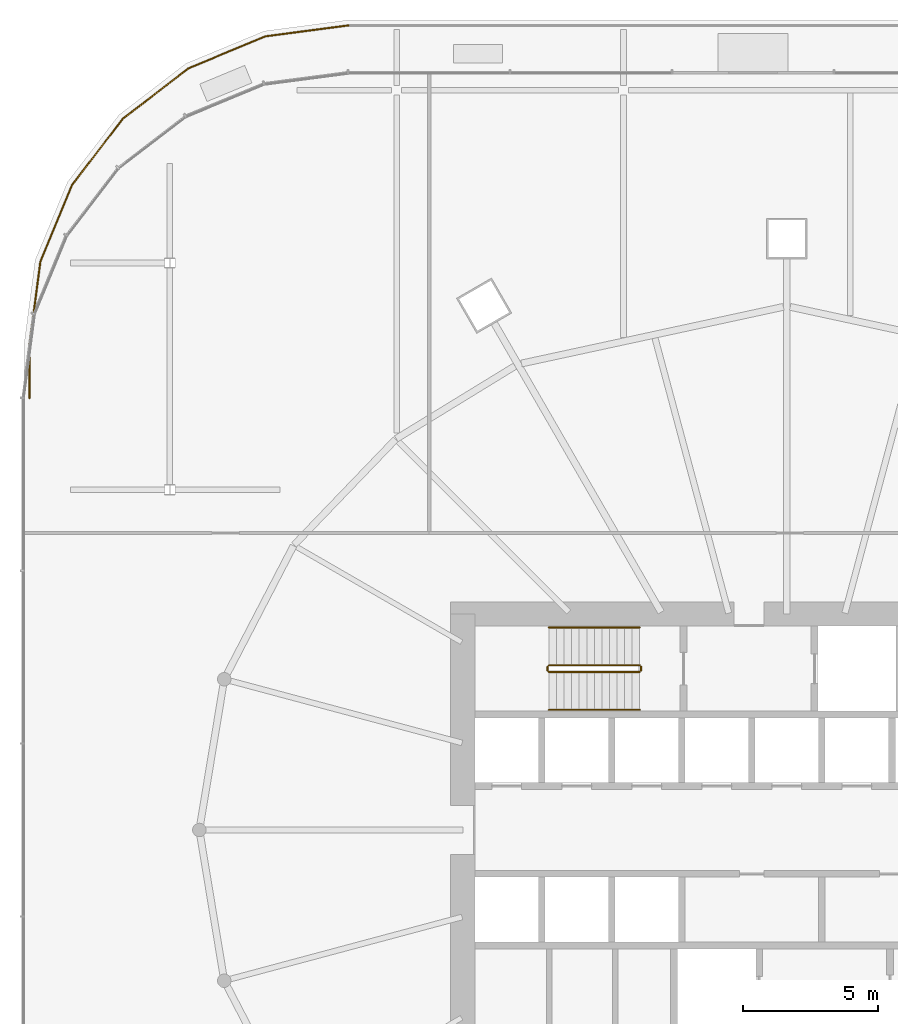
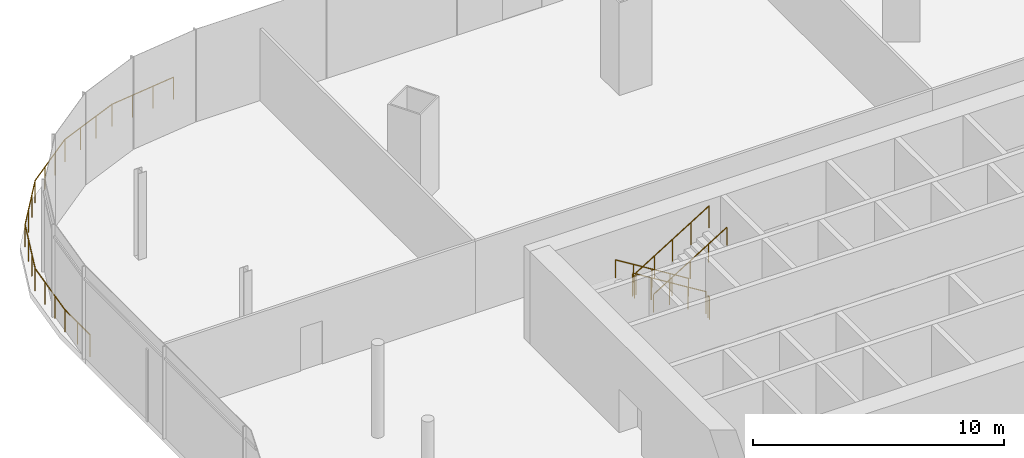
# One storey, part 45 of 52: 7 railings.
"""IFC4 building model written with IfcOpenShell, lengths in metres."""

from ifc_helpers import new_model, si_unit, direction, frame, origin, origin_2d, place, context, subcontext, project, spatial, circle, extrude, material, type_object, element, save


model = new_model("IFC4")

# Units and contexts
model_context = context("Model", 3, precision=1e-05, world=origin(), true_north=direction((0.0, 1.0)))
body_context = subcontext(model_context, "Body", "Model", "MODEL_VIEW")
ifc_project = project(units=[si_unit("LENGTHUNIT", "METRE"), si_unit("AREAUNIT", "SQUARE_METRE"), si_unit("VOLUMEUNIT", "CUBIC_METRE"), si_unit("PLANEANGLEUNIT", "RADIAN"), si_unit("MASSUNIT", "GRAM", prefix="KILO")], contexts=[model_context])

# Site, building, storey
site_placement = place(None, origin())
site = spatial("IfcSite", under=ifc_project, at=site_placement, CompositionType="ELEMENT")
building_placement = place(site_placement, origin())
building = spatial("IfcBuilding", under=site, at=building_placement, Name="Rimbun Link Towers", CompositionType="ELEMENT")
storey_placement = place(building_placement, frame((0.0, 0.0, 21.0)))
storey = spatial("IfcBuildingStorey", under=building, at=storey_placement, Name="L04", CompositionType="ELEMENT", Elevation=21.0)

# Railings
ifc_material_1 = material(Name="Toughened laminated glass, stainless steel grade 316 posts and cap rail", Category="steel")
railing_type_1 = type_object("IfcRailingType", Name="GUARD glass balustrade with stainless cap rail", PredefinedType="BALUSTRADE", material=ifc_material_1)
railing_1_placement = place(storey_placement, frame((-47.98681640625, 29.800048828125, 0.0)))
element("IfcRailing", 1, at=railing_1_placement, inside=storey, type_object=railing_type_1, Name="GUARD glass balustrade", PredefinedType="BALUSTRADE", context=body_context, shape_type="SweptSolid", body=[
    extrude(circle(Radius=0.02392578125, at=origin_2d()), frame((0.0, 0.0, 1.076171875), z_axis=(-0.991443009305, -0.130540259305, 0.0), x_axis=(0.130540259305, -0.991443009305, 0.0)), (0.0, 0.0, 1.0), 3.09326171875),
    extrude(circle(Radius=0.02392578125, at=origin_2d()), frame((-3.06689453125, -0.40380859375, 1.076171875), z_axis=(-0.92386997747, -0.382706499462, 0.0), x_axis=(0.382706499462, -0.92386997747, 0.0)), (0.0, 0.0, 1.0), 3.079833984375),
    extrude(circle(Radius=0.02392578125, at=origin_2d()), frame((-5.912353515625, -1.58251953125, 1.076171875), z_axis=(-0.793398353015, -0.608702762794, 0.0), x_axis=(0.608702762794, -0.793398353015, 0.0)), (0.0, 0.0, 1.0), 3.079833984375),
    extrude(circle(Radius=0.02392578125, at=origin_2d()), frame((-8.35595703125, -3.457275390625, 1.076171875), z_axis=(-0.608702762794, -0.793398353015, 0.0), x_axis=(0.793398353015, -0.608702762794, 0.0)), (0.0, 0.0, 1.0), 3.079833984375),
    extrude(circle(Radius=0.02392578125, at=origin_2d()), frame((-10.230712890625, -5.90087890625, 1.076171875), z_axis=(-0.382706499462, -0.92386997747, 0.0), x_axis=(0.92386997747, -0.382706499462, 0.0)), (0.0, 0.0, 1.0), 3.079833984375),
    extrude(circle(Radius=0.02392578125, at=origin_2d()), frame((-11.409423828125, -8.746337890625, 1.076171875), z_axis=(-0.130540259305, -0.991443009305, 0.0), x_axis=(0.991443009305, -0.130540259305, 0.0)), (0.0, 0.0, 1.0), 3.09326171875),
    extrude(circle(Radius=0.02392578125, at=origin_2d()), frame((-11.813232421875, -11.813232421875, 1.076171875), z_axis=(0.0, -1.0, 0.0), x_axis=(1.0, 0.0, 0.0)), (0.0, 0.0, 1.0), 1.98681640625),
    extrude(circle(Radius=0.02099609375, at=origin_2d()), origin(), (0.0, 0.0, 1.0), 1.052001953125),
    extrude(circle(Radius=0.02099609375, at=origin_2d()), frame((-1.022216796875, -0.134521484375, 0.0)), (0.0, 0.0, 1.0), 1.052001953125),
    extrude(circle(Radius=0.02099609375, at=origin_2d()), frame((-2.044677734375, -0.269287109375, 0.0)), (0.0, 0.0, 1.0), 1.052001953125),
    extrude(circle(Radius=0.02099609375, at=origin_2d()), frame((-3.06689453125, -0.40380859375, 0.0)), (0.0, 0.0, 1.0), 1.052001953125),
    extrude(circle(Radius=0.02099609375, at=origin_2d()), frame((-4.015380859375, -0.796630859375, 0.0)), (0.0, 0.0, 1.0), 1.052001953125),
    extrude(circle(Radius=0.02099609375, at=origin_2d()), frame((-4.9638671875, -1.189697265625, 0.0)), (0.0, 0.0, 1.0), 1.052001953125),
    extrude(circle(Radius=0.02099609375, at=origin_2d()), frame((-5.912353515625, -1.58251953125, 0.0)), (0.0, 0.0, 1.0), 1.052001953125),
    extrude(circle(Radius=0.02099609375, at=origin_2d()), frame((-6.726806640625, -2.20751953125, 0.0)), (0.0, 0.0, 1.0), 1.052001953125),
    extrude(circle(Radius=0.02099609375, at=origin_2d()), frame((-7.54150390625, -2.832275390625, 0.0)), (0.0, 0.0, 1.0), 1.052001953125),
    extrude(circle(Radius=0.02099609375, at=origin_2d()), frame((-8.35595703125, -3.457275390625, 0.0)), (0.0, 0.0, 1.0), 1.052001953125),
    extrude(circle(Radius=0.02099609375, at=origin_2d()), frame((-8.98095703125, -4.271728515625, 0.0)), (0.0, 0.0, 1.0), 1.052001953125),
    extrude(circle(Radius=0.02099609375, at=origin_2d()), frame((-9.605712890625, -5.08642578125, 0.0)), (0.0, 0.0, 1.0), 1.052001953125),
    extrude(circle(Radius=0.02099609375, at=origin_2d()), frame((-10.230712890625, -5.90087890625, 0.0)), (0.0, 0.0, 1.0), 1.052001953125),
    extrude(circle(Radius=0.02099609375, at=origin_2d()), frame((-10.62353515625, -6.849365234375, 0.0)), (0.0, 0.0, 1.0), 1.052001953125),
    extrude(circle(Radius=0.02099609375, at=origin_2d()), frame((-11.0166015625, -7.7978515625, 0.0)), (0.0, 0.0, 1.0), 1.052001953125),
    extrude(circle(Radius=0.02099609375, at=origin_2d()), frame((-11.409423828125, -8.746337890625, 0.0)), (0.0, 0.0, 1.0), 1.052001953125),
    extrude(circle(Radius=0.02099609375, at=origin_2d()), frame((-11.5439453125, -9.7685546875, 0.0)), (0.0, 0.0, 1.0), 1.052001953125),
    extrude(circle(Radius=0.02099609375, at=origin_2d()), frame((-11.6787109375, -10.791015625, 0.0)), (0.0, 0.0, 1.0), 1.052001953125),
    extrude(circle(Radius=0.02099609375, at=origin_2d()), frame((-11.813232421875, -11.813232421875, 0.0)), (0.0, 0.0, 1.0), 1.052001953125),
    extrude(circle(Radius=0.02099609375, at=origin_2d()), frame((-11.813232421875, -12.806640625, 0.0)), (0.0, 0.0, 1.0), 1.052001953125),
    extrude(circle(Radius=0.02099609375, at=origin_2d()), frame((-11.813232421875, -13.800048828125, 0.0)), (0.0, 0.0, 1.0), 1.052001953125),
])
ifc_material_2 = material(Name="Stainless steel grade 316", Category="steel")
railing_type_2 = type_object("IfcRailingType", Name="Stair guard", PredefinedType="GUARDRAIL", material=ifc_material_2)
railing_2_placement = place(storey_placement, frame((-37.199951171875, 6.10009765625, 0.173095703125)))
element("IfcRailing", 2, at=railing_2_placement, inside=storey, type_object=railing_type_2, Name="L04 ST1 stair guard 1", PredefinedType="GUARDRAIL", context=body_context, shape_type="SweptSolid", body=[
    extrude(circle(Radius=0.02392578125, at=origin_2d()), frame((0.0, 0.0, 1.076171875), z_axis=(-0.850623216509, 0.0, 0.525775754039), x_axis=(0.0, -1.0, 0.0)), (0.0, 0.0, 1.0), 3.9501953125),
    extrude(circle(Radius=0.02099609375, at=origin_2d()), origin(), (0.0, 0.0, 1.0), 1.052001953125),
    extrude(circle(Radius=0.02099609375, at=origin_2d()), frame((-0.840087890625, 0.0, 0.519287109375)), (0.0, 0.0, 1.0), 1.052001953125),
    extrude(circle(Radius=0.02099609375, at=origin_2d()), frame((-1.68017578125, 0.0, 1.03857421875)), (0.0, 0.0, 1.0), 1.052001953125),
    extrude(circle(Radius=0.02099609375, at=origin_2d()), frame((-2.52001953125, 0.0, 1.5576171875)), (0.0, 0.0, 1.0), 1.052001953125),
    extrude(circle(Radius=0.02099609375, at=origin_2d()), frame((-3.360107421875, 0.0, 2.076904296875)), (0.0, 0.0, 1.0), 1.052001953125),
])
railing_3_placement = place(storey_placement, frame((-40.610107421875, 6.050048828125, 2.25)))
element("IfcRailing", 3, at=railing_3_placement, inside=storey, type_object=railing_type_2, Name="L04 ST1 stair guard 2", PredefinedType="GUARDRAIL", context=body_context, shape_type="SweptSolid", body=[
    extrude(circle(Radius=0.02392578125, at=origin_2d()), frame((0.0, 0.0, 1.076171875), z_axis=(0.0, -1.0, 0.0), x_axis=(1.0, 0.0, 0.0)), (0.0, 0.0, 1.0), 0.150146484375),
    extrude(circle(Radius=0.02099609375, at=origin_2d()), origin(), (0.0, 0.0, 1.0), 1.052001953125),
    extrude(circle(Radius=0.02099609375, at=origin_2d()), frame((0.0, -0.150146484375, 0.0)), (0.0, 0.0, 1.0), 1.052001953125),
])
railing_4_placement = place(storey_placement, frame((-40.56005859375, 5.85009765625, 2.423095703125)))
element("IfcRailing", 4, at=railing_4_placement, inside=storey, type_object=railing_type_2, Name="L04 ST1 stair guard 3", PredefinedType="GUARDRAIL", context=body_context, shape_type="SweptSolid", body=[
    extrude(circle(Radius=0.02392578125, at=origin_2d()), frame((0.0, 0.0, 1.076171875), z_axis=(0.850623216509, 0.0, 0.525775754039), x_axis=(0.0, 1.0, 0.0)), (0.0, 0.0, 1.0), 3.9501953125),
    extrude(circle(Radius=0.02099609375, at=origin_2d()), origin(), (0.0, 0.0, 1.0), 1.052001953125),
    extrude(circle(Radius=0.02099609375, at=origin_2d()), frame((0.840087890625, 0.0, 0.519287109375)), (0.0, 0.0, 1.0), 1.052001953125),
    extrude(circle(Radius=0.02099609375, at=origin_2d()), frame((1.68017578125, 0.0, 1.03857421875)), (0.0, 0.0, 1.0), 1.052001953125),
    extrude(circle(Radius=0.02099609375, at=origin_2d()), frame((2.52001953125, 0.0, 1.5576171875)), (0.0, 0.0, 1.0), 1.052001953125),
    extrude(circle(Radius=0.02099609375, at=origin_2d()), frame((3.360107421875, 0.0, 2.076904296875)), (0.0, 0.0, 1.0), 1.052001953125),
])
railing_5_placement = place(storey_placement, frame((-37.14990234375, 6.050048828125, 0.0)))
element("IfcRailing", 5, at=railing_5_placement, inside=storey, type_object=railing_type_2, Name="L04 ST1 stair guard 4", PredefinedType="GUARDRAIL", context=body_context, shape_type="SweptSolid", body=[
    extrude(circle(Radius=0.02392578125, at=origin_2d()), frame((0.0, 0.0, 1.076171875), z_axis=(0.0, -1.0, 0.0), x_axis=(1.0, 0.0, 0.0)), (0.0, 0.0, 1.0), 0.150146484375),
    extrude(circle(Radius=0.02099609375, at=origin_2d()), origin(), (0.0, 0.0, 1.0), 1.052001953125),
    extrude(circle(Radius=0.02099609375, at=origin_2d()), frame((0.0, -0.150146484375, 0.0)), (0.0, 0.0, 1.0), 1.052001953125),
])
ifc_material_3 = material(Name="Stainless steel grade 316", Category="steel")
railing_type_3 = type_object("IfcRailingType", Name="Stair handrail", PredefinedType="HANDRAIL", material=ifc_material_3)
railing_6_placement = place(storey_placement, frame((-37.199951171875, 7.5, 0.173095703125)))
element("IfcRailing", 6, at=railing_6_placement, inside=storey, type_object=railing_type_3, Name="L04 ST1 stair handrail 1", PredefinedType="HANDRAIL", context=body_context, shape_type="SweptSolid", body=[
    extrude(circle(Radius=0.02392578125, at=origin_2d()), frame((0.0, 0.0, 0.8759765625), z_axis=(-0.850623216509, 0.0, 0.525775754039), x_axis=(0.0, -1.0, 0.0)), (0.0, 0.0, 1.0), 3.9501953125),
    extrude(circle(Radius=0.02099609375, at=origin_2d()), origin(), (0.0, 0.0, 1.0), 0.851806640625),
    extrude(circle(Radius=0.02099609375, at=origin_2d()), frame((-0.840087890625, 0.0, 0.519287109375)), (0.0, 0.0, 1.0), 0.851806640625),
    extrude(circle(Radius=0.02099609375, at=origin_2d()), frame((-1.68017578125, 0.0, 1.03857421875)), (0.0, 0.0, 1.0), 0.851806640625),
    extrude(circle(Radius=0.02099609375, at=origin_2d()), frame((-2.52001953125, 0.0, 1.5576171875)), (0.0, 0.0, 1.0), 0.851806640625),
    extrude(circle(Radius=0.02099609375, at=origin_2d()), frame((-3.360107421875, 0.0, 2.076904296875)), (0.0, 0.0, 1.0), 0.851806640625),
])
railing_7_placement = place(storey_placement, frame((-40.56005859375, 4.449951171875, 2.423095703125)))
element("IfcRailing", 7, at=railing_7_placement, inside=storey, type_object=railing_type_3, Name="L04 ST1 stair handrail 2", PredefinedType="HANDRAIL", context=body_context, shape_type="SweptSolid", body=[
    extrude(circle(Radius=0.02392578125, at=origin_2d()), frame((0.0, 0.0, 0.8759765625), z_axis=(0.850623216509, 0.0, 0.525775754039), x_axis=(0.0, 1.0, 0.0)), (0.0, 0.0, 1.0), 3.9501953125),
    extrude(circle(Radius=0.02099609375, at=origin_2d()), origin(), (0.0, 0.0, 1.0), 0.851806640625),
    extrude(circle(Radius=0.02099609375, at=origin_2d()), frame((0.840087890625, 0.0, 0.519287109375)), (0.0, 0.0, 1.0), 0.851806640625),
    extrude(circle(Radius=0.02099609375, at=origin_2d()), frame((1.68017578125, 0.0, 1.03857421875)), (0.0, 0.0, 1.0), 0.851806640625),
    extrude(circle(Radius=0.02099609375, at=origin_2d()), frame((2.52001953125, 0.0, 1.5576171875)), (0.0, 0.0, 1.0), 0.851806640625),
    extrude(circle(Radius=0.02099609375, at=origin_2d()), frame((3.360107421875, 0.0, 2.076904296875)), (0.0, 0.0, 1.0), 0.851806640625),
])

save(model, "model.ifc")
